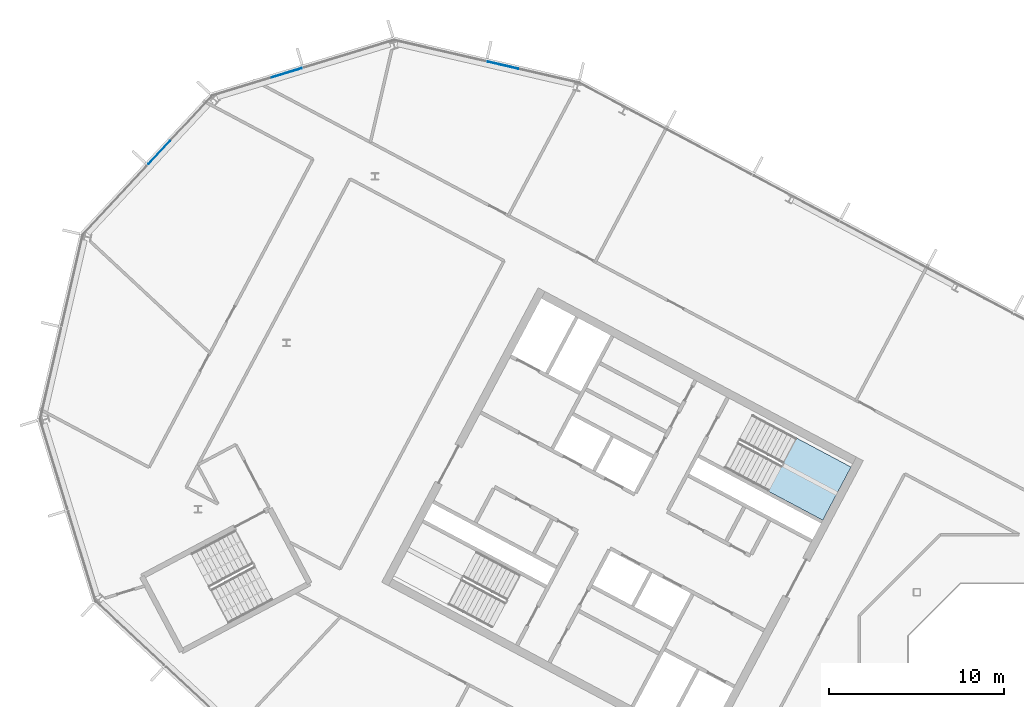
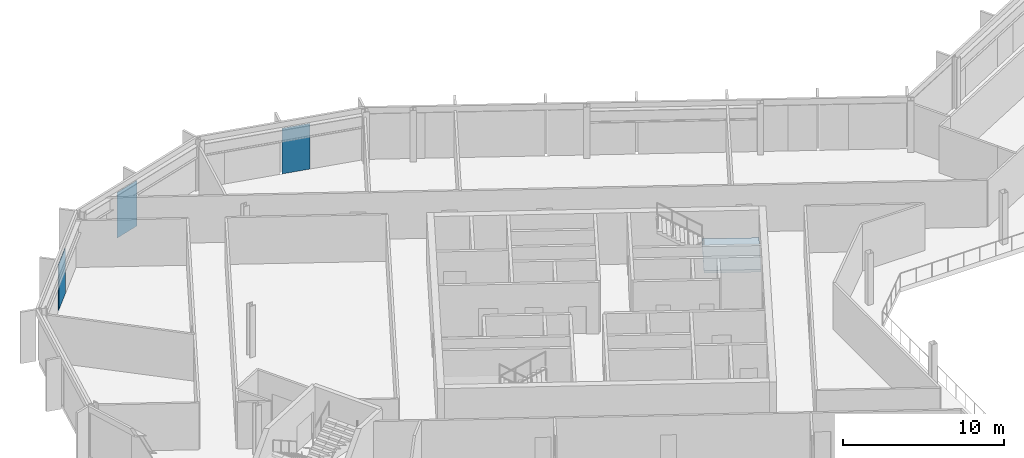
# One storey, part 11 of 26: 3 plates, 1 slab, 4 elements without a shape of their own.
"""IFC4 building model written with IfcOpenShell, lengths in metres."""

from ifc_helpers import new_model, si_unit, direction, frame, origin, origin_2d, place, context, subcontext, project, spatial, polyline, rectangle, outline, extrude, material, layer, layer_set, type_object, element, aggregate, save


model = new_model("IFC4")

# Units and contexts
model_context = context("Model", 3, precision=1e-05, world=origin(), true_north=direction((0.0, 1.0)))
body_context = subcontext(model_context, "Body", "Model", "MODEL_VIEW")
ifc_project = project(units=[si_unit("LENGTHUNIT", "METRE"), si_unit("AREAUNIT", "SQUARE_METRE"), si_unit("VOLUMEUNIT", "CUBIC_METRE"), si_unit("PLANEANGLEUNIT", "RADIAN"), si_unit("MASSUNIT", "GRAM", prefix="KILO")], contexts=[model_context])

# Site, building, storey
site_placement = place(None, origin())
site = spatial("IfcSite", under=ifc_project, at=site_placement, CompositionType="ELEMENT")
building_placement = place(site_placement, origin())
building = spatial("IfcBuilding", under=site, at=building_placement, Name="Cormorant Relay Tower", CompositionType="ELEMENT")
storey_placement = place(building_placement, frame((0.0, 0.0, 300.89990234375)))
storey = spatial("IfcBuildingStorey", under=building, at=storey_placement, Name="L68", CompositionType="ELEMENT", Elevation=300.89990234375)

# Curtain wall, plate
ifc_material_1 = material(Name="Aluminium 6063-T6 anodised bronze", Category="aluminium")
ifc_layer_1 = layer(ifc_material_1, 0.199951171875)
ifc_layer_set_1 = layer_set([ifc_layer_1], Name="CW1 unitised bronze curtain wall with vertical fins")
curtain_wall_type = type_object("IfcCurtainWallType", Name="CW1 unitised bronze curtain wall with vertical fins", PredefinedType="NOTDEFINED", material=ifc_layer_set_1)
curtain_wall_1_placement = place(storey_placement, origin())
curtain_wall_1 = element("IfcCurtainWall", 1, at=curtain_wall_1_placement, inside=storey, type_object=curtain_wall_type, Name="CW1 curtain wall 10", PredefinedType="NOTDEFINED")
ifc_material_2 = material(Name="Tinted laminated glass", Category="glass")
ifc_layer_2 = layer(ifc_material_2, 0.0400390625)
ifc_layer_set_2 = layer_set([ifc_layer_2], Name="CW1 tinted vision panel 1800 module")
plate_type = type_object("IfcPlateType", Name="CW1 tinted vision panel 1800 module", PredefinedType="CURTAIN_PANEL", material=ifc_layer_set_2)
plate_1_placement = place(storey_placement, frame((-34.215087890625, 40.69091796875, 0.0), z_axis=(0.0, 0.0, 1.0), x_axis=(-0.974370064785, 0.224951054344, 0.0)))
plate_1 = element("IfcPlate", 2, at=plate_1_placement, type_object=plate_type, Name="CW1 panel V01", PredefinedType="CURTAIN_PANEL", context=body_context, shape_type="SweptSolid", body=[
    extrude(rectangle(XDim=1.800048828125, YDim=0.0400390625, at=origin_2d()), origin(), (0.0, 0.0, 1.0), 3.449951171875),
])
aggregate(curtain_wall_1, [plate_1])

curtain_wall_2_placement = place(storey_placement, origin())
curtain_wall_2 = element("IfcCurtainWall", 3, at=curtain_wall_2_placement, inside=storey, type_object=curtain_wall_type, Name="CW1 curtain wall 11", PredefinedType="NOTDEFINED")
plate_2_placement = place(storey_placement, frame((-46.6015625, 40.25830078125, 0.0), z_axis=(0.0, 0.0, 1.0), x_axis=(-0.956304755963, -0.292371704723, 0.0)))
plate_2 = element("IfcPlate", 4, at=plate_2_placement, type_object=plate_type, Name="CW1 panel V01", PredefinedType="CURTAIN_PANEL", context=body_context, shape_type="SweptSolid", body=[
    extrude(rectangle(XDim=1.800048828125, YDim=0.0400390625, at=origin_2d()), origin(), (0.0, 0.0, 1.0), 3.449951171875),
])
aggregate(curtain_wall_2, [plate_2])

curtain_wall_3_placement = place(storey_placement, origin())
curtain_wall_3 = element("IfcCurtainWall", 5, at=curtain_wall_3_placement, inside=storey, type_object=curtain_wall_type, Name="CW1 curtain wall 12", PredefinedType="NOTDEFINED")
plate_3_placement = place(storey_placement, frame((-53.91748046875, 35.68701171875, 0.0), z_axis=(0.0, 0.0, 1.0), x_axis=(-0.681998360062, -0.731353701619, 0.0)))
plate_3 = element("IfcPlate", 6, at=plate_3_placement, type_object=plate_type, Name="CW1 panel V01", PredefinedType="CURTAIN_PANEL", context=body_context, shape_type="SweptSolid", body=[
    extrude(rectangle(XDim=1.800048828125, YDim=0.0400390625, at=origin_2d()), origin(), (0.0, 0.0, 1.0), 3.449951171875),
])
aggregate(curtain_wall_3, [plate_3])

# Stair, slab
ifc_material_3 = material(Name="Concrete 40 MPa", Category="concrete")
stair_type = type_object("IfcStairType", Name="Exit stair 1500", PredefinedType="HALF_TURN_STAIR", material=ifc_material_3)
stair_placement = place(storey_placement, origin())
stair = element("IfcStair", 7, at=stair_placement, inside=storey, type_object=stair_type, Name="L68 Stair", PredefinedType="HALF_TURN_STAIR")
ifc_material_4 = material(Name="Concrete 40 MPa", Category="concrete")
ifc_layer_3 = layer(ifc_material_4, 0.199951171875)
ifc_layer_set_3 = layer_set([ifc_layer_3], Name="Exit stair landing 200")
slab_type = type_object("IfcSlabType", Name="Exit stair landing 200", PredefinedType="LANDING", material=ifc_layer_set_3)
slab_placement = place(storey_placement, frame((0.0, 0.0, 1.75)))
slab = element("IfcSlab", 8, at=slab_placement, type_object=slab_type, Name="A1 landing 1", PredefinedType="LANDING", context=body_context, shape_type="SweptSolid", body=[
    extrude(outline(polyline([(-19.029541015625, 16.29052734375), (-15.89501953125, 14.6240234375), (-14.275390625, 17.670166015625), (-17.40966796875, 19.3369140625), (-19.029541015625, 16.29052734375)])), origin(), (0.0, 0.0, 1.0), 0.2001953125),
])
aggregate(stair, [slab])

save(model, "model.ifc")
